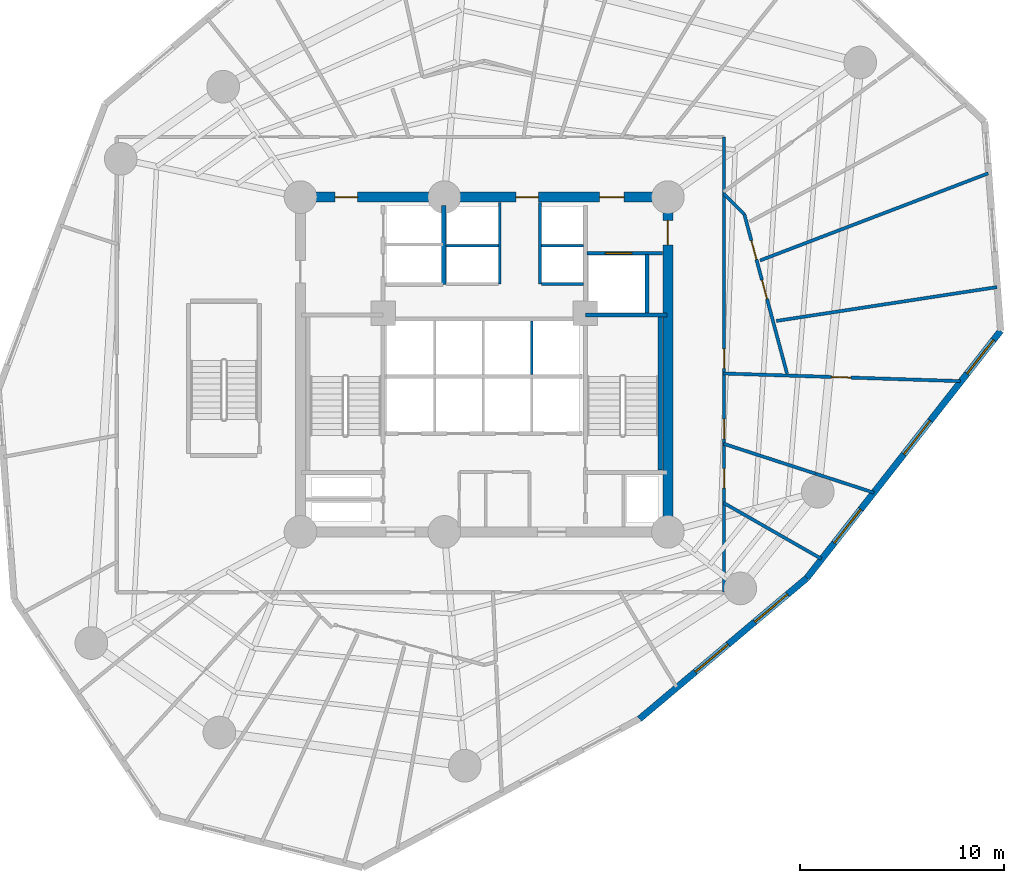
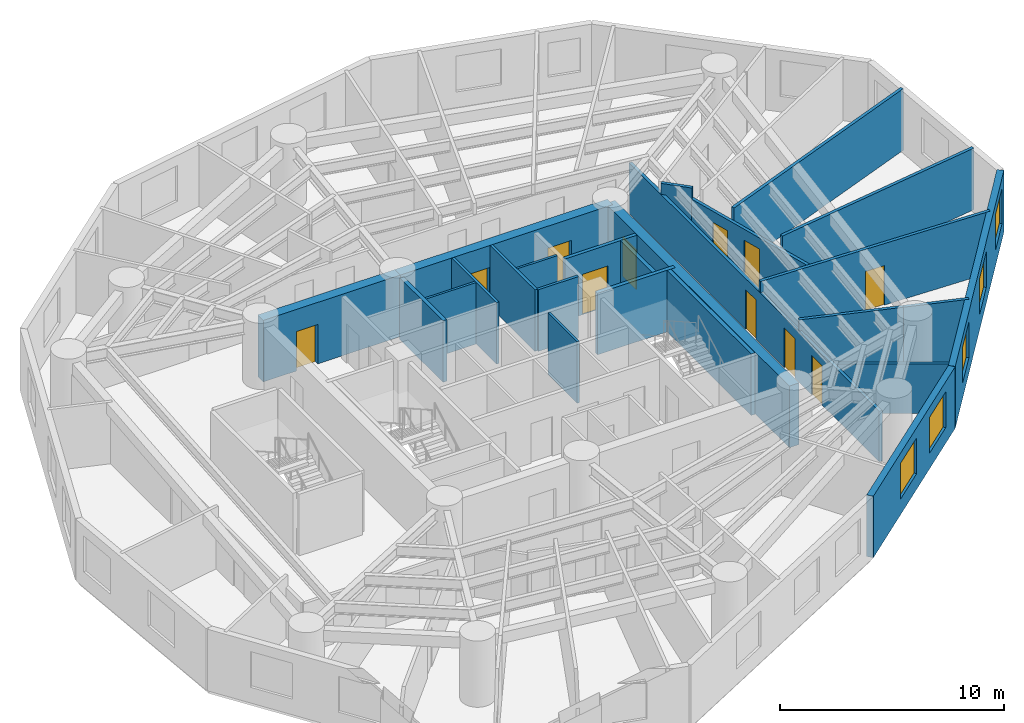
# One storey, part 5 of 8: 25 walls, 11 doors, 5 windows, 16 openings.
"""IFC4 building model written with IfcOpenShell, lengths in metres."""

from ifc_helpers import new_model, si_unit, direction, frame, frame_2d, origin, origin_with_axes, place, context, subcontext, project, spatial, rectangle, extrude, source, transform, mapped, material, layer, layer_set, type_object, element, fill, save


model = new_model("IFC4")

# Units and contexts
model_context = context("Model", 3, precision=1e-05, world=origin(), true_north=direction((0.0, 1.0)))
body_context = subcontext(model_context, "Body", "Model", "MODEL_VIEW")
ifc_project = project(units=[si_unit("LENGTHUNIT", "METRE"), si_unit("AREAUNIT", "SQUARE_METRE"), si_unit("VOLUMEUNIT", "CUBIC_METRE"), si_unit("PLANEANGLEUNIT", "RADIAN"), si_unit("MASSUNIT", "GRAM", prefix="KILO")], contexts=[model_context])

# Site, building, storey
site_placement = place(None, origin())
site = spatial("IfcSite", under=ifc_project, at=site_placement, CompositionType="ELEMENT")
building_placement = place(site_placement, origin())
building = spatial("IfcBuilding", under=site, at=building_placement, Name="Karkom Vertical University and Central Library", CompositionType="ELEMENT")
storey_placement = place(building_placement, frame((0.0, 0.0, 58.89990234375)))
storey = spatial("IfcBuildingStorey", under=building, at=storey_placement, Name="L15", CompositionType="ELEMENT", Elevation=58.89990234375)

# Wall, openings, windows
ifc_material_1 = material(Name="Brick-faced precast concrete C45/55", Category="masonry")
ifc_layer_1 = layer(ifc_material_1, 0.320068359375)
ifc_layer_set_1 = layer_set([ifc_layer_1], Name="Brick-faced precast concrete C45/55")
wall_type_1 = type_object("IfcWallType", Name="ENV-WL-BRK-320", PredefinedType="SOLIDWALL", material=ifc_layer_set_1)
wall_1_placement = place(storey_placement, frame((36.110595703125, 9.140380859375, 0.0), z_axis=(0.0, 0.0, 1.0), x_axis=(0.765138187745, 0.643866099166, 0.0)))
wall_1 = element("IfcWall", 1, at=wall_1_placement, inside=storey, type_object=wall_type_1, Name="Level 15 Brick-Faced Precast Facade Wall 07", PredefinedType="SOLIDWALL", context=body_context, shape_type="SweptSolid", body=[
    extrude(rectangle(XDim=10.7080078125, YDim=0.320068359375, at=frame_2d((5.35400390625, 0.0))), origin(), (0.0, 0.0, 1.0), 3.35009765625),
])
opening_1_placement = place(wall_1_placement, frame((3.56982421875, 0.0, 0.85009765625)))
opening_1 = element("IfcOpeningElement", 2, at=opening_1_placement, cuts=wall_1, Name="Opening WN-03", PredefinedType="OPENING", context=body_context, shape_type="SweptSolid", body=[
    extrude(rectangle(XDim=2.10009765625, YDim=1.949951171875, at=frame_2d((1.050048828125, 0.97509765625))), frame((0.0, 0.169921875, 0.0), z_axis=(0.0, -1.0, 0.0), x_axis=(1.0, 0.0, 0.0)), (0.0, 0.0, 1.0), 0.340087890625),
])
opening_2_placement = place(wall_1_placement, frame((7.375244140625, 0.0, 0.85009765625)))
opening_2 = element("IfcOpeningElement", 3, at=opening_2_placement, cuts=wall_1, Name="Opening WN-03", PredefinedType="OPENING", context=body_context, shape_type="SweptSolid", body=[
    extrude(rectangle(XDim=2.10009765625, YDim=1.949951171875, at=frame_2d((1.050048828125, 0.97509765625))), frame((0.0, 0.169921875, 0.0), z_axis=(0.0, -1.0, 0.0), x_axis=(1.0, 0.0, 0.0)), (0.0, 0.0, 1.0), 0.340087890625),
])
ifc_material_2 = material(Name="Aluminium thermal-break frame with solar-control IGU", Category="aluminium")
window_type = type_object("IfcWindowType", Name="ENV-WIN-WN-03", PartitioningType="SINGLE_PANEL", PredefinedType="WINDOW", material=ifc_material_2)
shared_shape_1 = source(origin_with_axes(), body_context, "Body", "SweptSolid", [
    extrude(rectangle(XDim=2.10009765625, YDim=1.949951171875, at=frame_2d((1.050048828125, 0.97509765625))), frame((0.0, 0.030029296875, 0.0), z_axis=(0.0, -1.0, 0.0), x_axis=(1.0, 0.0, 0.0)), (0.0, 0.0, 1.0), 0.06005859375),
])
window_1_placement = place(opening_1_placement, origin())
window_1 = element("IfcWindow", 4, at=window_1_placement, inside=storey, type_object=window_type, Name="Level 15 Punched Window 7.1", OverallHeight=1.949951171875, OverallWidth=2.10009765625, PartitioningType="SINGLE_PANEL", PredefinedType="WINDOW", context=body_context, shape_type="MappedRepresentation", body=[
    mapped(shared_shape_1, transform((0.0, 0.0, 0.0), scale=1.0)),
])
fill(opening_1, window_1)
window_2_placement = place(opening_2_placement, origin())
window_2 = element("IfcWindow", 5, at=window_2_placement, inside=storey, type_object=window_type, Name="Level 15 Punched Window 7.2", OverallHeight=1.949951171875, OverallWidth=2.10009765625, PartitioningType="SINGLE_PANEL", PredefinedType="WINDOW", context=body_context, shape_type="MappedRepresentation", body=[
    mapped(shared_shape_1, transform((0.0, 0.0, 0.0), scale=1.0)),
])
fill(opening_2, window_2)

wall_2_placement = place(storey_placement, frame((44.3037109375, 16.034912109375, 0.0), z_axis=(0.0, 0.0, 1.0), x_axis=(0.616971902354, 0.786985178835, 0.0)))
wall_2 = element("IfcWall", 6, at=wall_2_placement, inside=storey, type_object=wall_type_1, Name="Level 15 Brick-Faced Precast Facade Wall 08", PredefinedType="SOLIDWALL", context=body_context, shape_type="SweptSolid", body=[
    extrude(rectangle(XDim=15.399658203125, YDim=0.320068359375, at=frame_2d((7.69970703125, 0.0))), origin(), (0.0, 0.0, 1.0), 3.35009765625),
])
opening_3_placement = place(wall_2_placement, frame((2.189208984375, 0.0, 0.85009765625)))
opening_3 = element("IfcOpeningElement", 7, at=opening_3_placement, cuts=wall_2, Name="Opening WN-03", PredefinedType="OPENING", context=body_context, shape_type="SweptSolid", body=[
    extrude(rectangle(XDim=2.10009765625, YDim=1.949951171875, at=frame_2d((1.050048828125, 0.97509765625))), frame((0.0, 0.169921875, 0.0), z_axis=(0.0, -1.0, 0.0), x_axis=(1.0, 0.0, 0.0)), (0.0, 0.0, 1.0), 0.340087890625),
])
opening_4_placement = place(wall_2_placement, frame((7.705322265625, 0.0, 0.85009765625)))
opening_4 = element("IfcOpeningElement", 8, at=opening_4_placement, cuts=wall_2, Name="Opening WN-03", PredefinedType="OPENING", context=body_context, shape_type="SweptSolid", body=[
    extrude(rectangle(XDim=2.10009765625, YDim=1.949951171875, at=frame_2d((1.050048828125, 0.97509765625))), frame((0.0, 0.169921875, 0.0), z_axis=(0.0, -1.0, 0.0), x_axis=(1.0, 0.0, 0.0)), (0.0, 0.0, 1.0), 0.340087890625),
])
opening_5_placement = place(wall_2_placement, frame((12.726318359375, 0.0, 0.85009765625)))
opening_5 = element("IfcOpeningElement", 9, at=opening_5_placement, cuts=wall_2, Name="Opening WN-03", PredefinedType="OPENING", context=body_context, shape_type="SweptSolid", body=[
    extrude(rectangle(XDim=2.10009765625, YDim=1.949951171875, at=frame_2d((1.050048828125, 0.97509765625))), frame((0.0, 0.169921875, 0.0), z_axis=(0.0, -1.0, 0.0), x_axis=(1.0, 0.0, 0.0)), (0.0, 0.0, 1.0), 0.340087890625),
])
window_3_placement = place(opening_3_placement, origin())
window_3 = element("IfcWindow", 10, at=window_3_placement, inside=storey, type_object=window_type, Name="Level 15 Punched Window 8.1", OverallHeight=1.949951171875, OverallWidth=2.10009765625, PartitioningType="SINGLE_PANEL", PredefinedType="WINDOW", context=body_context, shape_type="MappedRepresentation", body=[
    mapped(shared_shape_1, transform((0.0, 0.0, 0.0), scale=1.0)),
])
fill(opening_3, window_3)
window_4_placement = place(opening_4_placement, origin())
window_4 = element("IfcWindow", 11, at=window_4_placement, inside=storey, type_object=window_type, Name="Level 15 Punched Window 8.2", OverallHeight=1.949951171875, OverallWidth=2.10009765625, PartitioningType="SINGLE_PANEL", PredefinedType="WINDOW", context=body_context, shape_type="MappedRepresentation", body=[
    mapped(shared_shape_1, transform((0.0, 0.0, 0.0), scale=1.0)),
])
fill(opening_4, window_4)
window_5_placement = place(opening_5_placement, origin())
window_5 = element("IfcWindow", 12, at=window_5_placement, inside=storey, type_object=window_type, Name="Level 15 Punched Window 8.3", OverallHeight=1.949951171875, OverallWidth=2.10009765625, PartitioningType="SINGLE_PANEL", PredefinedType="WINDOW", context=body_context, shape_type="MappedRepresentation", body=[
    mapped(shared_shape_1, transform((0.0, 0.0, 0.0), scale=1.0)),
])
fill(opening_5, window_5)

# Wall, openings, doors
ifc_material_3 = material(Name="Insulated metal-stud drywall 160mm", Category="gypsum")
ifc_layer_2 = layer(ifc_material_3, 0.159912109375)
ifc_layer_set_2 = layer_set([ifc_layer_2], Name="Insulated metal-stud drywall 160mm")
wall_type_2 = type_object("IfcWallType", Name="INT-WL-COR-160", PredefinedType="PARTITIONING", material=ifc_layer_set_2)
wall_3_placement = place(storey_placement, frame((40.25, 37.64990234375, 0.0), z_axis=(0.0, 0.0, 1.0), x_axis=(0.0, -1.0, 0.0)))
wall_3 = element("IfcWall", 13, at=wall_3_placement, inside=storey, type_object=wall_type_2, Name="Level 15 Interior Partition Wall L15-CORW-CW-004", PredefinedType="PARTITIONING", context=body_context, shape_type="SweptSolid", body=[
    extrude(rectangle(XDim=22.2998046875, YDim=0.159912109375, at=frame_2d((11.14990234375, 0.0))), origin(), (0.0, 0.0, 1.0), 2.75),
])
opening_6_placement = place(wall_3_placement, frame((16.25, 0.0, 0.0)))
opening_6 = element("IfcOpeningElement", 14, at=opening_6_placement, cuts=wall_3, Name="Opening D-RM1", PredefinedType="OPENING", context=body_context, shape_type="SweptSolid", body=[
    extrude(rectangle(XDim=0.949951171875, YDim=2.14990234375, at=frame_2d((0.47509765625, 1.074951171875))), frame((0.0, 0.08984375, 0.0), z_axis=(0.0, -1.0, 0.0), x_axis=(1.0, 0.0, 0.0)), (0.0, 0.0, 1.0), 0.179931640625),
])
opening_7_placement = place(wall_3_placement, frame((13.830078125, 0.0, 0.0)))
opening_7 = element("IfcOpeningElement", 15, at=opening_7_placement, cuts=wall_3, Name="Opening FD-RM2", PredefinedType="OPENING", context=body_context, shape_type="SweptSolid", body=[
    extrude(rectangle(XDim=0.9599609375, YDim=2.14990234375, at=frame_2d((0.47998046875, 1.074951171875))), frame((0.0, 0.08984375, 0.0), z_axis=(0.0, -1.0, 0.0), x_axis=(1.0, 0.0, 0.0)), (0.0, 0.0, 1.0), 0.179931640625),
])
opening_8_placement = place(wall_3_placement, frame((10.385009765625, 0.0, 0.0)))
opening_8 = element("IfcOpeningElement", 16, at=opening_8_placement, cuts=wall_3, Name="Opening D-RM1", PredefinedType="OPENING", context=body_context, shape_type="SweptSolid", body=[
    extrude(rectangle(XDim=0.949951171875, YDim=2.14990234375, at=frame_2d((0.47509765625, 1.074951171875))), frame((0.0, 0.08984375, 0.0), z_axis=(0.0, -1.0, 0.0), x_axis=(1.0, 0.0, 0.0)), (0.0, 0.0, 1.0), 0.179931640625),
])
ifc_material_4 = material(Name="Fire-rated oak veneer door", Category="wood")
door_type_1 = type_object("IfcDoorType", Name="INT-DR-FRM2", OperationType="NOTDEFINED", PredefinedType="DOOR", material=ifc_material_4)
shared_shape_2 = source(origin_with_axes(), body_context, "Body", "SweptSolid", [
    extrude(rectangle(XDim=0.9599609375, YDim=2.14990234375, at=frame_2d((0.47998046875, 1.074951171875))), frame((0.0, 0.02490234375, 0.0), z_axis=(0.0, -1.0, 0.0), x_axis=(1.0, 0.0, 0.0)), (0.0, 0.0, 1.0), 0.050048828125),
])
door_1_placement = place(opening_7_placement, origin())
door_1 = element("IfcDoor", 17, at=door_1_placement, inside=storey, type_object=door_type_1, Name="Level 15 Room Entry Door 120", OperationType="SINGLE_SWING_RIGHT", OverallHeight=2.14990234375, OverallWidth=0.9599609375, PredefinedType="DOOR", context=body_context, shape_type="MappedRepresentation", body=[
    mapped(shared_shape_2, transform((0.0, 0.0, 0.0), scale=1.0)),
])
fill(opening_7, door_1)
ifc_material_5 = material(Name="Solid-core oak veneer door", Category="wood")
door_type_2 = type_object("IfcDoorType", Name="INT-DR-RM1", OperationType="NOTDEFINED", PredefinedType="DOOR", material=ifc_material_5)
shared_shape_3 = source(origin_with_axes(), body_context, "Body", "SweptSolid", [
    extrude(rectangle(XDim=0.949951171875, YDim=2.14990234375, at=frame_2d((0.47509765625, 1.074951171875))), frame((0.0, 0.02490234375, 0.0), z_axis=(0.0, -1.0, 0.0), x_axis=(1.0, 0.0, 0.0)), (0.0, 0.0, 1.0), 0.050048828125),
])
door_2_placement = place(opening_6_placement, origin())
door_2 = element("IfcDoor", 18, at=door_2_placement, inside=storey, type_object=door_type_2, Name="Level 15 Room Entry Door 110", OperationType="SINGLE_SWING_LEFT", OverallHeight=2.14990234375, OverallWidth=0.949951171875, PredefinedType="DOOR", context=body_context, shape_type="MappedRepresentation", body=[
    mapped(shared_shape_3, transform((0.0, 0.0, 0.0), scale=1.0)),
])
fill(opening_6, door_2)
door_3_placement = place(opening_8_placement, origin())
door_3 = element("IfcDoor", 19, at=door_3_placement, inside=storey, type_object=door_type_2, Name="Level 15 Room Entry Door 140", OperationType="SINGLE_SWING_LEFT", OverallHeight=2.14990234375, OverallWidth=0.949951171875, PredefinedType="DOOR", context=body_context, shape_type="MappedRepresentation", body=[
    mapped(shared_shape_3, transform((0.0, 0.0, 0.0), scale=1.0)),
])
fill(opening_8, door_3)

# Wall
wall_4_placement = place(storey_placement, frame((42.01708984375, 31.597412109375, 0.0), z_axis=(0.0, 0.0, 1.0), x_axis=(0.934205769674, 0.356734607107, 0.0)))
element("IfcWall", 20, at=wall_4_placement, inside=storey, type_object=wall_type_2, Name="Level 15 Interior Partition Wall L15-PW-028", PredefinedType="PARTITIONING", context=body_context, shape_type="SweptSolid", body=[
    extrude(rectangle(XDim=11.95947265625, YDim=0.159912109375, at=frame_2d((5.979736328125, 0.0))), origin(), (0.0, 0.0, 1.0), 3.35009765625),
])

# Wall, opening, door
wall_5_placement = place(storey_placement, frame((40.205078125, 26.061279296875, 0.0), z_axis=(0.0, 0.0, 1.0), x_axis=(0.999476658674, -0.032348242074, 0.0)))
wall_5 = element("IfcWall", 21, at=wall_5_placement, inside=storey, type_object=wall_type_2, Name="Level 15 Interior Partition Wall L15-PW-023", PredefinedType="PARTITIONING", context=body_context, shape_type="SweptSolid", body=[
    extrude(rectangle(XDim=11.622802734375, YDim=0.159912109375, at=frame_2d((5.8115234375, 0.0))), origin(), (0.0, 0.0, 1.0), 3.35009765625),
])
opening_9_placement = place(wall_5_placement, frame((5.311279296875, 0.0, 0.0)))
opening_9 = element("IfcOpeningElement", 22, at=opening_9_placement, cuts=wall_5, Name="Opening D-RM1", PredefinedType="OPENING", context=body_context, shape_type="SweptSolid", body=[
    extrude(rectangle(XDim=0.949951171875, YDim=2.14990234375, at=frame_2d((0.47509765625, 1.074951171875))), frame((0.0, 0.08984375, 0.0), z_axis=(0.0, -1.0, 0.0), x_axis=(1.0, 0.0, 0.0)), (0.0, 0.0, 1.0), 0.179931640625),
])
door_4_placement = place(opening_9_placement, origin())
door_4 = element("IfcDoor", 23, at=door_4_placement, inside=storey, type_object=door_type_2, Name="Level 15 Room Entry Door 130", OperationType="SINGLE_SWING_RIGHT", OverallHeight=2.14990234375, OverallWidth=0.949951171875, PredefinedType="DOOR", context=body_context, shape_type="MappedRepresentation", body=[
    mapped(shared_shape_3, transform((0.0, 0.0, 0.0), scale=1.0)),
])
fill(opening_9, door_4)

# Wall
wall_6_placement = place(storey_placement, frame((42.81103515625, 28.6337890625, 0.0), z_axis=(0.0, 0.0, 1.0), x_axis=(0.988446706236, 0.151568825721, 0.0)))
element("IfcWall", 24, at=wall_6_placement, inside=storey, type_object=wall_type_2, Name="Level 15 Interior Partition Wall L15-PW-025", PredefinedType="PARTITIONING", context=body_context, shape_type="SweptSolid", body=[
    extrude(rectangle(XDim=10.93212890625, YDim=0.159912109375, at=frame_2d((5.466064453125, 0.0))), origin(), (0.0, 0.0, 1.0), 3.35009765625),
])

# Wall, openings, doors
wall_7_placement = place(storey_placement, frame((41.245361328125, 33.858642578125, 0.0), z_axis=(0.0, 0.0, 1.0), x_axis=(0.258823600504, -0.965924605661, 0.0)))
wall_7 = element("IfcWall", 25, at=wall_7_placement, inside=storey, type_object=wall_type_2, Name="Level 15 Interior Partition Wall L15-PW-026", PredefinedType="PARTITIONING", context=body_context, shape_type="SweptSolid", body=[
    extrude(rectangle(XDim=8.087646484375, YDim=0.159912109375, at=frame_2d((4.0439453125, 0.0))), origin(), (0.0, 0.0, 1.0), 2.75),
])
opening_10_placement = place(wall_7_placement, frame((3.333984375, 0.0, 0.0)))
opening_10 = element("IfcOpeningElement", 26, at=opening_10_placement, cuts=wall_7, Name="Opening FD-RM2", PredefinedType="OPENING", context=body_context, shape_type="SweptSolid", body=[
    extrude(rectangle(XDim=0.9599609375, YDim=2.14990234375, at=frame_2d((0.47998046875, 1.074951171875))), frame((0.0, 0.08984375, 0.0), z_axis=(0.0, -1.0, 0.0), x_axis=(1.0, 0.0, 0.0)), (0.0, 0.0, 1.0), 0.179931640625),
])
opening_11_placement = place(wall_7_placement, frame((1.339599609375, 0.0, 0.0)))
opening_11 = element("IfcOpeningElement", 27, at=opening_11_placement, cuts=wall_7, Name="Opening D-RM1", PredefinedType="OPENING", context=body_context, shape_type="SweptSolid", body=[
    extrude(rectangle(XDim=0.949951171875, YDim=2.14990234375, at=frame_2d((0.47509765625, 1.074951171875))), frame((0.0, 0.08984375, 0.0), z_axis=(0.0, -1.0, 0.0), x_axis=(1.0, 0.0, 0.0)), (0.0, 0.0, 1.0), 0.179931640625),
])
door_5_placement = place(opening_10_placement, origin())
door_5 = element("IfcDoor", 28, at=door_5_placement, inside=storey, type_object=door_type_1, Name="Level 15 Room Entry Door 150", OperationType="SINGLE_SWING_LEFT", OverallHeight=2.14990234375, OverallWidth=0.9599609375, PredefinedType="DOOR", context=body_context, shape_type="MappedRepresentation", body=[
    mapped(shared_shape_2, transform((0.0, 0.0, 0.0), scale=1.0)),
])
fill(opening_10, door_5)
door_6_placement = place(opening_11_placement, origin())
door_6 = element("IfcDoor", 29, at=door_6_placement, inside=storey, type_object=door_type_2, Name="Level 15 Room Entry Door 160", OperationType="SINGLE_SWING_RIGHT", OverallHeight=2.14990234375, OverallWidth=0.949951171875, PredefinedType="DOOR", context=body_context, shape_type="MappedRepresentation", body=[
    mapped(shared_shape_3, transform((0.0, 0.0, 0.0), scale=1.0)),
])
fill(opening_11, door_6)

# Walls
wall_8_placement = place(storey_placement, frame((40.22412109375, 19.72412109375, 0.0), z_axis=(0.0, 0.0, 1.0), x_axis=(0.867998049585, -0.496567604578, 0.0)))
element("IfcWall", 30, at=wall_8_placement, inside=storey, type_object=wall_type_2, Name="Level 15 Interior Partition Wall L15-PW-019", PredefinedType="PARTITIONING", context=body_context, shape_type="SweptSolid", body=[
    extrude(rectangle(XDim=5.519287109375, YDim=0.159912109375, at=frame_2d((2.759765625, 0.0))), origin(), (0.0, 0.0, 1.0), 2.7001953125),
])
wall_9_placement = place(storey_placement, frame((40.221435546875, 22.620361328125, 0.0), z_axis=(0.0, 0.0, 1.0), x_axis=(0.950856327038, -0.309632435853, 0.0)))
element("IfcWall", 31, at=wall_9_placement, inside=storey, type_object=wall_type_2, Name="Level 15 Interior Partition Wall L15-PW-020", PredefinedType="PARTITIONING", context=body_context, shape_type="SweptSolid", body=[
    extrude(rectangle(XDim=4.758544921875, YDim=0.159912109375, at=frame_2d((2.37939453125, 0.0))), origin(), (0.0, 0.0, 1.0), 3.35009765625),
])
wall_10_placement = place(storey_placement, frame((44.7509765625, 21.1455078125, 0.0), z_axis=(0.0, 0.0, 1.0), x_axis=(0.950851283167, -0.309647924745, 0.0)))
element("IfcWall", 32, at=wall_10_placement, inside=storey, type_object=wall_type_2, Name="Level 15 Interior Partition Wall L15-PW-022", PredefinedType="PARTITIONING", context=body_context, shape_type="SweptSolid", body=[
    extrude(rectangle(XDim=2.986572265625, YDim=0.159912109375, at=frame_2d((1.4931640625, 0.0))), origin(), (0.0, 0.0, 1.0), 3.35009765625),
])
wall_11_placement = place(storey_placement, frame((40.228759765625, 34.875244140625, 0.0), z_axis=(0.0, 0.0, 1.0), x_axis=(0.707106781187, -0.707106781187, 0.0)))
element("IfcWall", 33, at=wall_11_placement, inside=storey, type_object=wall_type_2, Name="Level 15 Interior Partition Wall L15-PW-027", PredefinedType="PARTITIONING", context=body_context, shape_type="SweptSolid", body=[
    extrude(rectangle(XDim=1.437744140625, YDim=0.159912109375, at=frame_2d((0.71875, 0.0))), origin(), (0.0, 0.0, 1.0), 3.35009765625),
])
ifc_material_6 = material(Name="Moisture-resistant drywall 120mm", Category="gypsum")
ifc_layer_3 = layer(ifc_material_6, 0.1201171875)
ifc_layer_set_3 = layer_set([ifc_layer_3], Name="Moisture-resistant drywall 120mm")
wall_type_3 = type_object("IfcWallType", Name="INT-WL-INT-120H", PredefinedType="PARTITIONING", material=ifc_layer_set_3)
wall_12_placement = place(storey_placement, frame((30.840087890625, 26.02001953125, 0.0), z_axis=(0.0, 0.0, 1.0), x_axis=(0.0, 1.0, 0.0)))
element("IfcWall", 34, at=wall_12_placement, inside=storey, type_object=wall_type_3, Name="Level 15 Interior Partition Wall L15-CW-PM-DIV3", PredefinedType="PARTITIONING", context=body_context, shape_type="SweptSolid", body=[
    extrude(rectangle(XDim=2.60009765625, YDim=0.1201171875, at=frame_2d((1.300048828125, 0.0))), origin(), (0.0, 0.0, 1.0), 3.35009765625),
])
wall_13_placement = place(storey_placement, frame((26.6201171875, 32.320068359375, 0.0), z_axis=(0.0, 0.0, 1.0), x_axis=(1.0, 0.0, 0.0)))
element("IfcWall", 35, at=wall_13_placement, inside=storey, type_object=wall_type_3, Name="Level 15 Interior Partition Wall L15-CW-PH-MW", PredefinedType="PARTITIONING", context=body_context, shape_type="SweptSolid", body=[
    extrude(rectangle(XDim=2.579833984375, YDim=0.1201171875, at=frame_2d((1.2900390625, 0.0))), origin(), (0.0, 0.0, 1.0), 3.35009765625),
])
wall_14_placement = place(storey_placement, frame((31.300048828125, 32.320068359375, 0.0), z_axis=(0.0, 0.0, 1.0), x_axis=(1.0, 0.0, 0.0)))
element("IfcWall", 36, at=wall_14_placement, inside=storey, type_object=wall_type_3, Name="Level 15 Interior Partition Wall L15-CW-PH-ME", PredefinedType="PARTITIONING", context=body_context, shape_type="SweptSolid", body=[
    extrude(rectangle(XDim=2.074951171875, YDim=0.1201171875, at=frame_2d((1.03759765625, 0.0))), origin(), (0.0, 0.0, 1.0), 3.35009765625),
])
ifc_material_7 = material(Name="Metal-stud gypsum partition 140mm", Category="gypsum")
ifc_layer_4 = layer(ifc_material_7, 0.139892578125)
ifc_layer_set_4 = layer_set([ifc_layer_4], Name="Metal-stud gypsum partition 140mm")
wall_type_4 = type_object("IfcWallType", Name="INT-WL-SUB-140H", PredefinedType="PARTITIONING", material=ifc_layer_set_4)
for number, where, z_axis, x_axis, name in (
    (37, (29.260009765625, 30.449951171875, 0.0), (0.0, 0.0, 1.0), (0.0, 1.0, 0.0), "Level 15 Interior Partition Wall L15-CW-PH-W"),
    (38, (31.239990234375, 30.449951171875, 0.0), (0.0, 0.0, 1.0), (0.0, 1.0, 0.0), "Level 15 Interior Partition Wall L15-CW-PH-E"),
):
    element("IfcWall", number, at=place(storey_placement, frame(where, z_axis=z_axis, x_axis=x_axis)), inside=storey, type_object=wall_type_4, Name=name, PredefinedType="PARTITIONING", context=body_context, shape_type="SweptSolid", body=[
        extrude(rectangle(XDim=3.9931640625, YDim=0.139892578125, at=frame_2d((1.99658203125, 0.0))), origin(), (0.0, 0.0, 1.0), 3.35009765625),
    ])
wall_15_placement = place(storey_placement, frame((31.300048828125, 30.449951171875, 0.0), z_axis=(0.0, 0.0, 1.0), x_axis=(1.0, 0.0, 0.0)))
element("IfcWall", 39, at=wall_15_placement, inside=storey, type_object=wall_type_4, Name="Level 15 Interior Partition Wall L15-CW-PH-S2", PredefinedType="PARTITIONING", context=body_context, shape_type="SweptSolid", body=[
    extrude(rectangle(XDim=2.074951171875, YDim=0.139892578125, at=frame_2d((1.03759765625, 0.0))), origin(), (0.0, 0.0, 1.0), 3.35009765625),
])

# Wall, opening, door
ifc_material_8 = material(Name="Twin-stud acoustic drywall 180mm", Category="gypsum")
ifc_layer_5 = layer(ifc_material_8, 0.179931640625)
ifc_layer_set_5 = layer_set([ifc_layer_5], Name="Twin-stud acoustic drywall 180mm")
wall_type_5 = type_object("IfcWallType", Name="INT-WL-TEN-180F", PredefinedType="PARTITIONING", material=ifc_layer_set_5)
wall_16_placement = place(storey_placement, frame((33.534912109375, 31.949951171875, 0.0), z_axis=(0.0, 0.0, 1.0), x_axis=(1.0, 0.0, 0.0)))
wall_16 = element("IfcWall", 40, at=wall_16_placement, inside=storey, type_object=wall_type_5, Name="Level 15 Interior Partition Wall L15-CW-SVL-N", PredefinedType="PARTITIONING", context=body_context, shape_type="SweptSolid", body=[
    extrude(rectangle(XDim=3.708740234375, YDim=0.179931640625, at=frame_2d((1.8544921875, 0.0))), origin(), (0.0, 0.0, 1.0), 3.35009765625),
])
opening_12_placement = place(wall_16_placement, frame((0.89990234375, 0.0, 0.0)))
opening_12 = element("IfcOpeningElement", 41, at=opening_12_placement, cuts=wall_16, Name="Opening LD-SV1", PredefinedType="OPENING", context=body_context, shape_type="SweptSolid", body=[
    extrude(rectangle(XDim=1.300048828125, YDim=2.199951171875, at=frame_2d((0.64990234375, 1.10009765625))), frame((0.0, 0.10009765625, 0.0), z_axis=(0.0, -1.0, 0.0), x_axis=(1.0, 0.0, 0.0)), (0.0, 0.0, 1.0), 0.199951171875),
])
ifc_material_9 = material(Name="Brushed stainless-steel landing door", Category="steel")
door_type_3 = type_object("IfcDoorType", Name="INT-DR-LD-SV1", OperationType="SLIDING_TO_LEFT", PredefinedType="DOOR", material=ifc_material_9)
shared_shape_4 = source(origin_with_axes(), body_context, "Body", "SweptSolid", [
    extrude(rectangle(XDim=1.300048828125, YDim=2.199951171875, at=frame_2d((0.64990234375, 1.10009765625))), frame((0.0, 0.02490234375, 0.0), z_axis=(0.0, -1.0, 0.0), x_axis=(1.0, 0.0, 0.0)), (0.0, 0.0, 1.0), 0.050048828125),
])
door_7_placement = place(opening_12_placement, origin())
door_7 = element("IfcDoor", 42, at=door_7_placement, inside=storey, type_object=door_type_3, Name="Level 15 Service Lift Landing Door LD-SV1", OperationType="SLIDING_TO_LEFT", OverallHeight=2.199951171875, OverallWidth=1.300048828125, PredefinedType="DOOR", context=body_context, shape_type="MappedRepresentation", body=[
    mapped(shared_shape_4, transform((0.0, 0.0, 0.0), scale=1.0)),
])
fill(opening_12, door_7)

ifc_material_10 = material(Name="Concrete C50/60", Category="concrete")
ifc_layer_6 = layer(ifc_material_10, 0.5)
ifc_layer_set_6 = layer_set([ifc_layer_6], Name="Concrete C50/60")
wall_type_6 = type_object("IfcWallType", Name="STR-WL-CW-500", PredefinedType="SHEAR", material=ifc_layer_set_6)
wall_17_placement = place(storey_placement, frame((37.5, 18.300048828125, 0.0), z_axis=(0.0, 0.0, 1.0), x_axis=(0.0, 1.0, 0.0)))
wall_17 = element("IfcWall", 43, at=wall_17_placement, inside=storey, type_object=wall_type_6, Name="Level 15 Central Core Shear Wall EW", PredefinedType="SHEAR", context=body_context, shape_type="SweptSolid", body=[
    extrude(rectangle(XDim=16.39990234375, YDim=0.5, at=frame_2d((8.199951171875, 0.0))), origin(), (0.0, 0.0, 1.0), 3.35009765625),
])
opening_13_placement = place(wall_17_placement, frame((14.06005859375, 0.0, 0.0)))
opening_13 = element("IfcOpeningElement", 44, at=opening_13_placement, cuts=wall_17, Name="Opening FD-SUB1", PredefinedType="OPENING", context=body_context, shape_type="SweptSolid", body=[
    extrude(rectangle(XDim=1.199951171875, YDim=2.14990234375, at=frame_2d((0.60009765625, 1.074951171875))), frame((0.0, 0.260009765625, 0.0), z_axis=(0.0, -1.0, 0.0), x_axis=(1.0, 0.0, 0.0)), (0.0, 0.0, 1.0), 0.52001953125),
])
ifc_material_11 = material(Name="Painted steel fire door", Category="steel")
door_type_4 = type_object("IfcDoorType", Name="INT-DR-SUB1", OperationType="NOTDEFINED", PredefinedType="DOOR", material=ifc_material_11)
shared_shape_5 = source(origin_with_axes(), body_context, "Body", "SweptSolid", [
    extrude(rectangle(XDim=1.199951171875, YDim=2.14990234375, at=frame_2d((0.60009765625, 1.074951171875))), frame((0.0, 0.02490234375, 0.0), z_axis=(0.0, -1.0, 0.0), x_axis=(1.0, 0.0, 0.0)), (0.0, 0.0, 1.0), 0.050048828125),
])
door_8_placement = place(opening_13_placement, origin())
door_8 = element("IfcDoor", 45, at=door_8_placement, inside=storey, type_object=door_type_4, Name="Level 15 East Corridor Service Lobby Door", OperationType="SINGLE_SWING_RIGHT", OverallHeight=2.14990234375, OverallWidth=1.199951171875, PredefinedType="DOOR", context=body_context, shape_type="MappedRepresentation", body=[
    mapped(shared_shape_5, transform((0.0, 0.0, 0.0), scale=1.0)),
])
fill(opening_13, door_8)

# Wall, openings, doors
wall_18_placement = place(storey_placement, frame((37.5, 34.699951171875, 0.0), z_axis=(0.0, 0.0, 1.0), x_axis=(-1.0, 0.0, 0.0)))
wall_18 = element("IfcWall", 46, at=wall_18_placement, inside=storey, type_object=wall_type_6, Name="Level 15 Central Core Shear Wall NW1", PredefinedType="SHEAR", context=body_context, shape_type="SweptSolid", body=[
    extrude(rectangle(XDim=10.949951171875, YDim=0.5, at=frame_2d((5.47509765625, 0.0))), origin(), (0.0, 0.0, 1.0), 3.35009765625),
])
opening_14_placement = place(wall_18_placement, frame((2.14990234375, 0.0, 0.0)))
opening_14 = element("IfcOpeningElement", 47, at=opening_14_placement, cuts=wall_18, Name="Opening FD-SUB1", PredefinedType="OPENING", context=body_context, shape_type="SweptSolid", body=[
    extrude(rectangle(XDim=1.199951171875, YDim=2.14990234375, at=frame_2d((0.60009765625, 1.074951171875))), frame((0.0, 0.260009765625, 0.0), z_axis=(0.0, -1.0, 0.0), x_axis=(1.0, 0.0, 0.0)), (0.0, 0.0, 1.0), 0.52001953125),
])
opening_15_placement = place(wall_18_placement, frame((6.35009765625, 0.0, 0.0)))
opening_15 = element("IfcOpeningElement", 48, at=opening_15_placement, cuts=wall_18, Name="Opening FD-FFL", PredefinedType="OPENING", context=body_context, shape_type="SweptSolid", body=[
    extrude(rectangle(XDim=1.10009765625, YDim=2.14990234375, at=frame_2d((0.550048828125, 1.074951171875))), frame((0.0, 0.260009765625, 0.0), z_axis=(0.0, -1.0, 0.0), x_axis=(1.0, 0.0, 0.0)), (0.0, 0.0, 1.0), 0.52001953125),
])
ifc_material_12 = material(Name="Painted steel smoke-seal fire door", Category="steel")
door_type_5 = type_object("IfcDoorType", Name="INT-DR-FFL", OperationType="NOTDEFINED", PredefinedType="DOOR", material=ifc_material_12)
shared_shape_6 = source(origin_with_axes(), body_context, "Body", "SweptSolid", [
    extrude(rectangle(XDim=1.10009765625, YDim=2.14990234375, at=frame_2d((0.550048828125, 1.074951171875))), frame((0.0, 0.02490234375, 0.0), z_axis=(0.0, -1.0, 0.0), x_axis=(1.0, 0.0, 0.0)), (0.0, 0.0, 1.0), 0.050048828125),
])
door_9_placement = place(opening_15_placement, origin())
door_9 = element("IfcDoor", 49, at=door_9_placement, inside=storey, type_object=door_type_5, Name="Level 15 North Core Lobby Exit Door", OperationType="SINGLE_SWING_LEFT", OverallHeight=2.14990234375, OverallWidth=1.10009765625, PredefinedType="DOOR", context=body_context, shape_type="MappedRepresentation", body=[
    mapped(shared_shape_6, transform((0.0, 0.0, 0.0), scale=1.0)),
])
fill(opening_15, door_9)
door_10_placement = place(opening_14_placement, origin())
door_10 = element("IfcDoor", 50, at=door_10_placement, inside=storey, type_object=door_type_4, Name="Level 15 Service Lobby Fire Door", OperationType="SINGLE_SWING_LEFT", OverallHeight=2.14990234375, OverallWidth=1.199951171875, PredefinedType="DOOR", context=body_context, shape_type="MappedRepresentation", body=[
    mapped(shared_shape_5, transform((0.0, 0.0, 0.0), scale=1.0)),
])
fill(opening_14, door_10)

# Wall, opening, door
wall_19_placement = place(storey_placement, frame((26.550048828125, 34.699951171875, 0.0), z_axis=(0.0, 0.0, 1.0), x_axis=(-1.0, 0.0, 0.0)))
wall_19 = element("IfcWall", 51, at=wall_19_placement, inside=storey, type_object=wall_type_6, Name="Level 15 Central Core Shear Wall NW2", PredefinedType="SHEAR", context=body_context, shape_type="SweptSolid", body=[
    extrude(rectangle(XDim=7.050048828125, YDim=0.5, at=frame_2d((3.52490234375, 0.0))), origin(), (0.0, 0.0, 1.0), 3.35009765625),
])
opening_16_placement = place(wall_19_placement, frame((4.25, 0.0, 0.0)))
opening_16 = element("IfcOpeningElement", 52, at=opening_16_placement, cuts=wall_19, Name="Opening FD-FFL", PredefinedType="OPENING", context=body_context, shape_type="SweptSolid", body=[
    extrude(rectangle(XDim=1.10009765625, YDim=2.14990234375, at=frame_2d((0.550048828125, 1.074951171875))), frame((0.0, 0.260009765625, 0.0), z_axis=(0.0, -1.0, 0.0), x_axis=(1.0, 0.0, 0.0)), (0.0, 0.0, 1.0), 0.52001953125),
])
door_11_placement = place(opening_16_placement, origin())
door_11 = element("IfcDoor", 53, at=door_11_placement, inside=storey, type_object=door_type_5, Name="Level 15 Firefighting Lobby Door", OperationType="SINGLE_SWING_RIGHT", OverallHeight=2.14990234375, OverallWidth=1.10009765625, PredefinedType="DOOR", context=body_context, shape_type="MappedRepresentation", body=[
    mapped(shared_shape_6, transform((0.0, 0.0, 0.0), scale=1.0)),
])
fill(opening_16, door_11)

# Walls
ifc_material_13 = material(Name="Concrete C45/55", Category="concrete")
ifc_layer_7 = layer(ifc_material_13, 0.199951171875)
ifc_layer_set_7 = layer_set([ifc_layer_7], Name="Concrete C45/55")
wall_type_7 = type_object("IfcWallType", Name="STR-WL-ST-200", PredefinedType="SHEAR", material=ifc_layer_set_7)
wall_20_placement = place(storey_placement, frame((37.125, 21.320068359375, 0.0), z_axis=(0.0, 0.0, 1.0), x_axis=(0.0, 1.0, 0.0)))
element("IfcWall", 54, at=wall_20_placement, inside=storey, type_object=wall_type_7, Name="Level 15 Core Shaft Wall L15-CW-ST2-E", PredefinedType="SHEAR", context=body_context, shape_type="SweptSolid", body=[
    extrude(rectangle(XDim=7.5, YDim=0.199951171875, at=frame_2d((3.75, 0.0))), origin(), (0.0, 0.0, 1.0), 3.35009765625),
])
wall_21_placement = place(storey_placement, frame((33.455078125, 28.925048828125, 0.0), z_axis=(0.0, 0.0, 1.0), x_axis=(1.0, 0.0, 0.0)))
element("IfcWall", 55, at=wall_21_placement, inside=storey, type_object=wall_type_7, Name="Level 15 Core Shaft Wall L15-CW-ST2-N", PredefinedType="SHEAR", context=body_context, shape_type="SweptSolid", body=[
    extrude(rectangle(XDim=3.994873046875, YDim=0.199951171875, at=frame_2d((1.99755859375, 0.0))), origin(), (0.0, 0.0, 1.0), 3.35009765625),
])
wall_22_placement = place(storey_placement, frame((26.52001953125, 30.419921875, 0.0), z_axis=(0.0, 0.0, 1.0), x_axis=(0.0, 1.0, 0.0)))
element("IfcWall", 56, at=wall_22_placement, inside=storey, type_object=wall_type_7, Name="Level 15 Core Shaft Wall L15-CW-FFL-E", PredefinedType="SHEAR", context=body_context, shape_type="SweptSolid", body=[
    extrude(rectangle(XDim=3.860107421875, YDim=0.199951171875, at=frame_2d((1.93017578125, 0.0))), origin(), (0.0, 0.0, 1.0), 3.35009765625),
])
wall_23_placement = place(storey_placement, frame((36.47998046875, 29.02001953125, 0.0), z_axis=(0.0, 0.0, 1.0), x_axis=(0.0, 1.0, 0.0)))
element("IfcWall", 57, at=wall_23_placement, inside=storey, type_object=wall_type_7, Name="Level 15 Core Shaft Wall L15-CW-SVL-E", PredefinedType="SHEAR", context=body_context, shape_type="SweptSolid", body=[
    extrude(rectangle(XDim=2.85986328125, YDim=0.199951171875, at=frame_2d((1.429931640625, 0.0))), origin(), (0.0, 0.0, 1.0), 3.35009765625),
])

save(model, "model.ifc")
